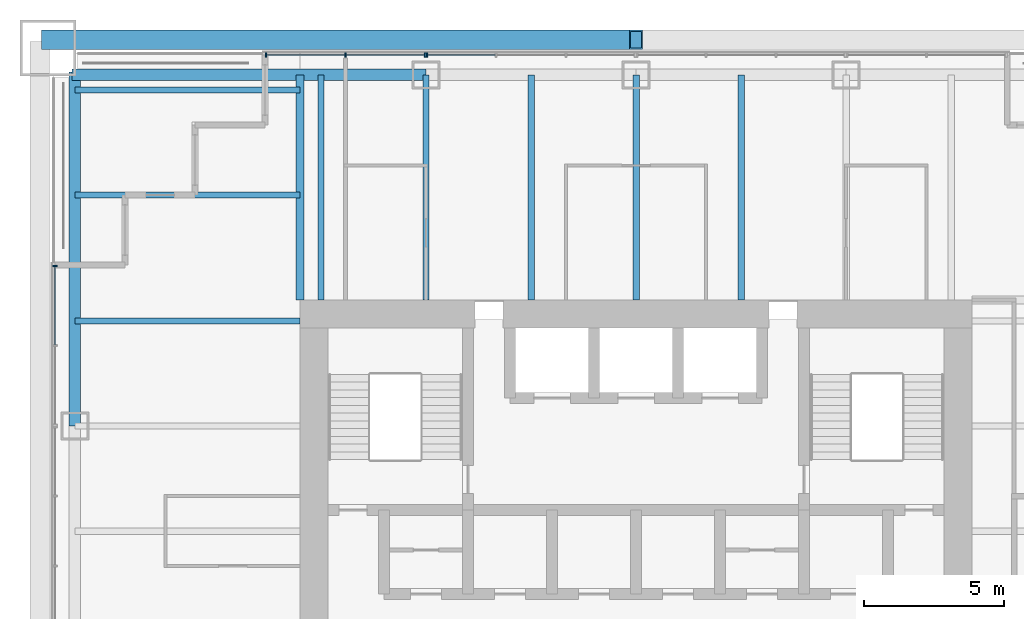
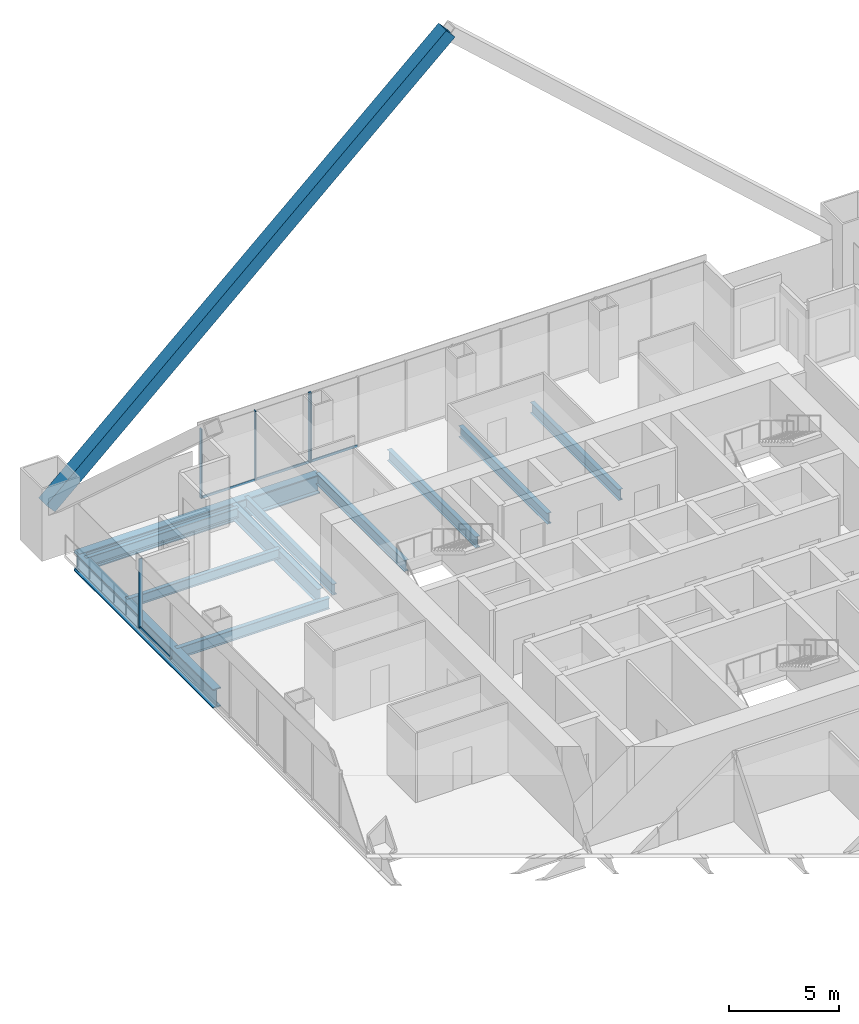
# One storey, part 9 of 18: 11 beams, 10 members, 3 elements without a shape of their own.
"""IFC4 building model written with IfcOpenShell, lengths in metres."""

from ifc_helpers import new_model, si_unit, direction, frame, origin, origin_2d, place, context, subcontext, project, spatial, rectangle, hollow_rectangle, i_section, extrude, material, material_profile, profile_set, type_object, element, aggregate, save


model = new_model("IFC4")

# Units and contexts
model_context = context("Model", 3, precision=1e-05, world=origin(), true_north=direction((0.0, 1.0)))
body_context = subcontext(model_context, "Body", "Model", "MODEL_VIEW")
ifc_project = project(units=[si_unit("LENGTHUNIT", "METRE"), si_unit("AREAUNIT", "SQUARE_METRE"), si_unit("VOLUMEUNIT", "CUBIC_METRE"), si_unit("PLANEANGLEUNIT", "RADIAN"), si_unit("MASSUNIT", "GRAM", prefix="KILO")], contexts=[model_context])

# Site, building, storey
site_placement = place(None, origin())
site = spatial("IfcSite", under=ifc_project, at=site_placement, CompositionType="ELEMENT")
building_placement = place(site_placement, origin())
building = spatial("IfcBuilding", under=site, at=building_placement, Name="Tarangal Relay Tower", CompositionType="ELEMENT")
storey_placement = place(building_placement, frame((0.0, 0.0, 295.89990234375)))
storey = spatial("IfcBuildingStorey", under=building, at=storey_placement, Name="L65", CompositionType="ELEMENT", Elevation=295.89990234375)

# Beams
ifc_material_1 = material(Name="Steel ASTM A992", Category="steel")
ifc_material_profile_1 = material_profile(ifc_material_1, i_section(OverallWidth=0.209228515625, OverallDepth=0.533447265625, WebThickness=0.01025390625, FlangeThickness=0.015625, at=origin_2d()), Name="W21X62")
ifc_profile_set_1 = profile_set([ifc_material_profile_1], Name="Steel ASTM A992")
beam_type_1 = type_object("IfcBeamType", Name="Corner beam W21X62", PredefinedType="JOIST", material=ifc_profile_set_1)
for number, where, z_axis, x_axis, name in (
    (1, (-12.0, 15.75, -0.41650390625), (-1.0, 0.0, 0.0), (0.0, -1.0, 0.0), "Corner beam CB12 W L65"),
    (2, (-12.0, 19.5, -0.41650390625), (-1.0, 0.0, 0.0), (0.0, -1.0, 0.0), "Corner beam CB12 W L65"),
):
    element("IfcBeam", number, at=place(storey_placement, frame(where, z_axis=z_axis, x_axis=x_axis)), inside=storey, type_object=beam_type_1, Name=name, PredefinedType="JOIST", context=body_context, shape_type="SweptSolid", body=[
        extrude(i_section(OverallWidth=0.209228515625, OverallDepth=0.533447265625, WebThickness=0.01025390625, FlangeThickness=0.015625, at=origin_2d()), origin(), (0.0, 0.0, 1.0), 8.0400390625),
    ])
ifc_material_profile_2 = material_profile(ifc_material_1, i_section(OverallWidth=0.2919921875, OverallDepth=0.8408203125, WebThickness=0.0146484375, FlangeThickness=0.021728515625, at=origin_2d()), Name="W33X130")
ifc_profile_set_2 = profile_set([ifc_material_profile_2], Name="Steel ASTM A992")
beam_type_2 = type_object("IfcBeamType", Name="Corner girder W33X130", PredefinedType="BEAM", material=ifc_profile_set_2)
beam_placement = place(storey_placement, frame((-12.0, 12.0, -0.5703125), z_axis=(0.0, 1.0, 0.0), x_axis=(-1.0, 0.0, 0.0)))
element("IfcBeam", 3, at=beam_placement, inside=storey, type_object=beam_type_2, Name="Corner girder CG5 W L65", PredefinedType="BEAM", context=body_context, shape_type="SweptSolid", body=[
    extrude(i_section(OverallWidth=0.2919921875, OverallDepth=0.8408203125, WebThickness=0.0146484375, FlangeThickness=0.021728515625, at=origin_2d()), origin(), (0.0, 0.0, 1.0), 8.0400390625),
])
ifc_material_profile_3 = material_profile(ifc_material_1, i_section(OverallWidth=0.41162109375, OverallDepth=1.049072265625, WebThickness=0.033935546875, FlangeThickness=0.059814453125, at=origin_2d()), Name="W40X431")
ifc_profile_set_3 = profile_set([ifc_material_profile_3], Name="Steel ASTM A992")
beam_type_3 = type_object("IfcBeamType", Name="Edge girder W40X431", PredefinedType="SPANDREL", material=ifc_profile_set_3)
for number, where, z_axis, x_axis, name in (
    (4, (-20.14990234375, 20.0400390625, -0.67431640625), (1.0, 0.0, 0.0), (0.0, 1.0, 0.0), "Edge girder EG1 N L65"),
    (5, (-20.0400390625, 7.5, -0.67431640625), (0.0, 1.0, 0.0), (-1.0, 0.0, 0.0), "Edge girder EG1 W L65"),
):
    element("IfcBeam", number, at=place(storey_placement, frame(where, z_axis=z_axis, x_axis=x_axis)), inside=storey, type_object=beam_type_3, Name=name, PredefinedType="SPANDREL", context=body_context, shape_type="SweptSolid", body=[
        extrude(i_section(OverallWidth=0.41162109375, OverallDepth=1.049072265625, WebThickness=0.033935546875, FlangeThickness=0.059814453125, at=origin_2d()), origin(), (0.0, 0.0, 1.0), 12.64990234375),
    ])
ifc_material_profile_4 = material_profile(ifc_material_1, i_section(OverallWidth=0.228271484375, OverallDepth=0.607177734375, WebThickness=0.01123046875, FlangeThickness=0.017333984375, at=origin_2d()), Name="W24X76")
ifc_profile_set_4 = profile_set([ifc_material_profile_4], Name="Steel ASTM A992")
beam_type_4 = type_object("IfcBeamType", Name="Floor beam W24X76", PredefinedType="BEAM", material=ifc_profile_set_4)
for number, where, z_axis, x_axis, name in (
    (6, (-11.25, 12.0, -0.453369140625), (0.0, 1.0, 0.0), (-1.0, 0.0, 0.0), "Floor beam RB5 N L65"),
    (7, (-7.5, 12.0, -0.453369140625), (0.0, 1.0, 0.0), (-1.0, 0.0, 0.0), "Floor beam RB5 N L65"),
    (8, (-3.75, 12.0, -0.453369140625), (0.0, 1.0, 0.0), (-1.0, 0.0, 0.0), "Floor beam RB5 N L65"),
    (9, (0.0, 12.0, -0.453369140625), (0.0, 1.0, 0.0), (-1.0, 0.0, 0.0), "Floor beam RB5 N L65"),
    (10, (3.75, 12.0, -0.453369140625), (0.0, 1.0, 0.0), (-1.0, 0.0, 0.0), "Floor beam RB5 N L65"),
    (11, (-12.0, 11.25, -0.453369140625), (-1.0, 0.0, 0.0), (0.0, -1.0, 0.0), "Floor beam RB5 W L65"),
):
    element("IfcBeam", number, at=place(storey_placement, frame(where, z_axis=z_axis, x_axis=x_axis)), inside=storey, type_object=beam_type_4, Name=name, PredefinedType="BEAM", context=body_context, shape_type="SweptSolid", body=[
        extrude(i_section(OverallWidth=0.228271484375, OverallDepth=0.607177734375, WebThickness=0.01123046875, FlangeThickness=0.017333984375, at=origin_2d()), origin(), (0.0, 0.0, 1.0), 8.0400390625),
    ])

# Member
ifc_material_2 = material(Name="Steel ASTM A572 Grade 50", Category="steel")
ifc_material_profile_5 = material_profile(ifc_material_2, hollow_rectangle(XDim=0.699951171875, YDim=0.699951171875, WallThickness=0.052001953125, at=origin_2d()), Name="BOX700X700X52")
ifc_profile_set_5 = profile_set([ifc_material_profile_5], Name="Steel ASTM A572 Grade 50")
member_type_1 = type_object("IfcMemberType", Name="Mega brace BOX700X700X52", PredefinedType="BRACE", material=ifc_profile_set_5)
member_1_placement = place(storey_placement, frame((-21.0, 21.300048828125, 2.0), z_axis=(0.741535779124, 0.0, 0.670913323969), x_axis=(0.0, 1.0, 0.0)))
element("IfcMember", 12, at=member_1_placement, inside=storey, type_object=member_type_1, Name="Mega brace MB4 N face module 2", PredefinedType="BRACE", context=body_context, shape_type="SweptSolid", body=[
    extrude(hollow_rectangle(XDim=0.699951171875, YDim=0.699951171875, WallThickness=0.052001953125, at=origin_2d()), origin(), (0.0, 0.0, 1.0), 28.319580078125),
])

# Curtain wall, members
ifc_material_3 = material(Name="Unitised curtain wall, dark glass and black aluminium", Category="aluminium")
curtain_wall_type = type_object("IfcCurtainWallType", Name="Curtain wall CW-B", PredefinedType="USERDEFINED", material=ifc_material_3)
curtain_wall_1_placement = place(storey_placement, origin())
curtain_wall_1 = element("IfcCurtainWall", 13, at=curtain_wall_1_placement, inside=storey, type_object=curtain_wall_type, Name="Curtain wall CW-B N facade L65", ObjectType="UNITISED CURTAIN WALL", PredefinedType="USERDEFINED")
ifc_material_4 = material(Name="Black anodised aluminium mullion", Category="aluminium")
ifc_material_profile_6 = material_profile(ifc_material_4, rectangle(XDim=0.159912109375, YDim=0.06005859375, at=origin_2d()), Name="CW-BM 60X160")
ifc_profile_set_6 = profile_set([ifc_material_profile_6], Name="Black anodised aluminium mullion")
member_type_2 = type_object("IfcMemberType", Name="Mullion CW-B 60 x 160", PredefinedType="MULLION", material=ifc_profile_set_6)
member_2_placement = place(storey_placement, frame((-13.219970703125, 20.75, 0.0), z_axis=(0.0, 0.0, 1.0), x_axis=(0.0, 1.0, 0.0)))
member_2 = element("IfcMember", 14, at=member_2_placement, type_object=member_type_2, Name="CW-B mullion 1", PredefinedType="MULLION", context=body_context, shape_type="SweptSolid", body=[
    extrude(rectangle(XDim=0.159912109375, YDim=0.06005859375, at=origin_2d()), origin(), (0.0, 0.0, 1.0), 3.85009765625),
])
member_3_placement = place(storey_placement, frame((-10.375, 20.75, 0.0), z_axis=(0.0, 0.0, 1.0), x_axis=(0.0, 1.0, 0.0)))
member_3 = element("IfcMember", 15, at=member_3_placement, type_object=member_type_2, Name="CW-B mullion 2", PredefinedType="MULLION", context=body_context, shape_type="SweptSolid", body=[
    extrude(rectangle(XDim=0.159912109375, YDim=0.06005859375, at=origin_2d()), origin(), (0.0, 0.0, 1.0), 3.85009765625),
])
member_4_placement = place(storey_placement, frame((-7.530029296875, 20.75, 0.0), z_axis=(0.0, 0.0, 1.0), x_axis=(0.0, 1.0, 0.0)))
member_4 = element("IfcMember", 16, at=member_4_placement, type_object=member_type_2, Name="CW-B mullion 3", PredefinedType="MULLION", context=body_context, shape_type="SweptSolid", body=[
    extrude(rectangle(XDim=0.159912109375, YDim=0.06005859375, at=origin_2d()), origin(), (0.0, 0.0, 1.0), 3.85009765625),
])

# Curtain wall, member
curtain_wall_2_placement = place(storey_placement, origin())
curtain_wall_2 = element("IfcCurtainWall", 17, at=curtain_wall_2_placement, inside=storey, type_object=curtain_wall_type, Name="Curtain wall CW-B N facade L65", ObjectType="UNITISED CURTAIN WALL", PredefinedType="USERDEFINED")
member_5_placement = place(storey_placement, frame((-7.469970703125, 20.75, 0.0), z_axis=(0.0, 0.0, 1.0), x_axis=(0.0, 1.0, 0.0)))
member_5 = element("IfcMember", 18, at=member_5_placement, type_object=member_type_2, Name="CW-B mullion 1", PredefinedType="MULLION", context=body_context, shape_type="SweptSolid", body=[
    extrude(rectangle(XDim=0.159912109375, YDim=0.06005859375, at=origin_2d()), origin(), (0.0, 0.0, 1.0), 3.85009765625),
])

curtain_wall_3_placement = place(storey_placement, origin())
curtain_wall_3 = element("IfcCurtainWall", 19, at=curtain_wall_3_placement, inside=storey, type_object=curtain_wall_type, Name="Curtain wall CW-B W facade L65", ObjectType="UNITISED CURTAIN WALL", PredefinedType="USERDEFINED")
member_6_placement = place(storey_placement, frame((-20.75, 13.219970703125, 0.0), z_axis=(0.0, 0.0, 1.0), x_axis=(-1.0, 0.0, 0.0)))
member_6 = element("IfcMember", 20, at=member_6_placement, type_object=member_type_2, Name="CW-B mullion 3", PredefinedType="MULLION", context=body_context, shape_type="SweptSolid", body=[
    extrude(rectangle(XDim=0.159912109375, YDim=0.06005859375, at=origin_2d()), origin(), (0.0, 0.0, 1.0), 3.85009765625),
])

# Member
ifc_material_5 = material(Name="Black anodised aluminium transom", Category="aluminium")
ifc_material_profile_7 = material_profile(ifc_material_5, rectangle(XDim=0.06005859375, YDim=0.1298828125, at=origin_2d()), Name="CW-BT 60X130")
ifc_profile_set_7 = profile_set([ifc_material_profile_7], Name="Black anodised aluminium transom")
member_type_3 = type_object("IfcMemberType", Name="Transom CW-B 60 x 130", PredefinedType="USERDEFINED", material=ifc_profile_set_7)
member_7_placement = place(storey_placement, frame((-13.18994140625, 20.75, 0.030029296875), z_axis=(1.0, 0.0, 0.0), x_axis=(0.0, 1.0, 0.0)))
member_7 = element("IfcMember", 21, at=member_7_placement, type_object=member_type_3, Name="CW-B transom 1.1", ObjectType="TRANSOM", PredefinedType="USERDEFINED", context=body_context, shape_type="SweptSolid", body=[
    extrude(rectangle(XDim=0.06005859375, YDim=0.1298828125, at=origin_2d()), origin(), (0.0, 0.0, 1.0), 2.784912109375),
])

member_8_placement = place(storey_placement, frame((-10.344970703125, 20.75, 0.030029296875), z_axis=(1.0, 0.0, 0.0), x_axis=(0.0, 1.0, 0.0)))
member_8 = element("IfcMember", 22, at=member_8_placement, type_object=member_type_3, Name="CW-B transom 2.1", ObjectType="TRANSOM", PredefinedType="USERDEFINED", context=body_context, shape_type="SweptSolid", body=[
    extrude(rectangle(XDim=0.06005859375, YDim=0.1298828125, at=origin_2d()), origin(), (0.0, 0.0, 1.0), 2.784912109375),
])

aggregate(curtain_wall_1, [member_2, member_3, member_4, member_7, member_8])

member_9_placement = place(storey_placement, frame((-7.43994140625, 20.75, 0.030029296875), z_axis=(1.0, 0.0, 0.0), x_axis=(0.0, 1.0, 0.0)))
member_9 = element("IfcMember", 23, at=member_9_placement, type_object=member_type_3, Name="CW-B transom 1.1", ObjectType="TRANSOM", PredefinedType="USERDEFINED", context=body_context, shape_type="SweptSolid", body=[
    extrude(rectangle(XDim=0.06005859375, YDim=0.1298828125, at=origin_2d()), origin(), (0.0, 0.0, 1.0), 2.409912109375),
])

aggregate(curtain_wall_2, [member_5, member_9])

member_10_placement = place(storey_placement, frame((-20.75, 10.405029296875, 0.030029296875), z_axis=(0.0, 1.0, 0.0), x_axis=(-1.0, 0.0, 0.0)))
member_10 = element("IfcMember", 24, at=member_10_placement, type_object=member_type_3, Name="CW-B transom 2.1", ObjectType="TRANSOM", PredefinedType="USERDEFINED", context=body_context, shape_type="SweptSolid", body=[
    extrude(rectangle(XDim=0.06005859375, YDim=0.1298828125, at=origin_2d()), origin(), (0.0, 0.0, 1.0), 2.784912109375),
])

aggregate(curtain_wall_3, [member_6, member_10])

save(model, "model.ifc")
